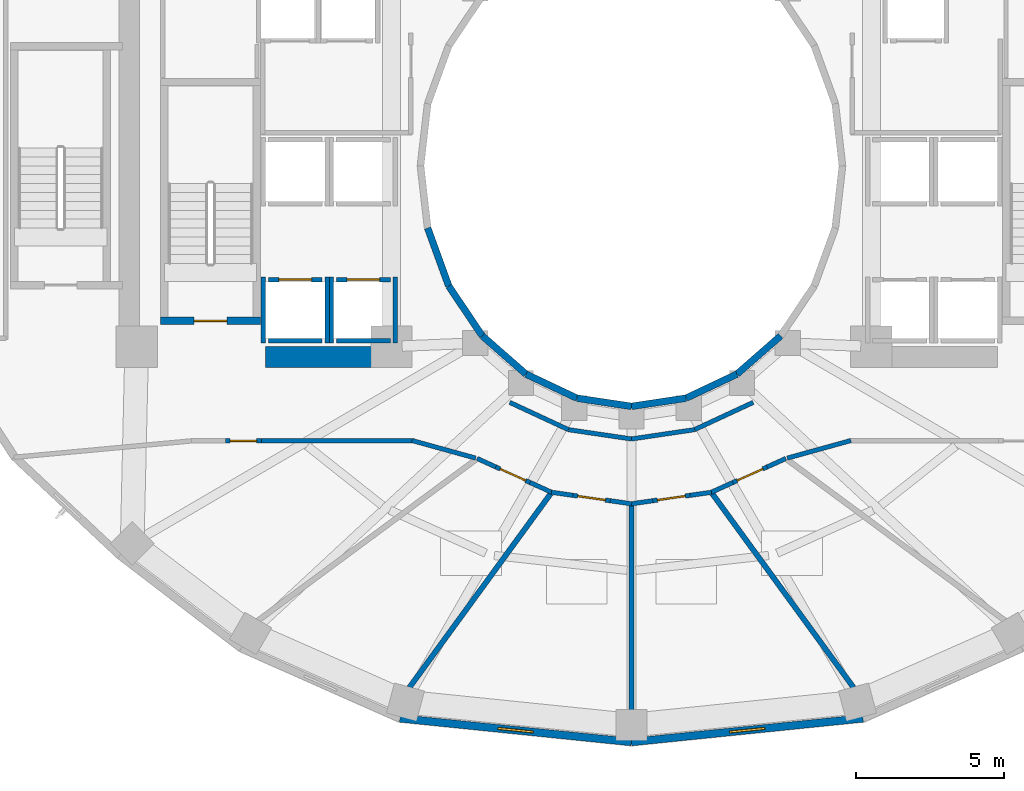
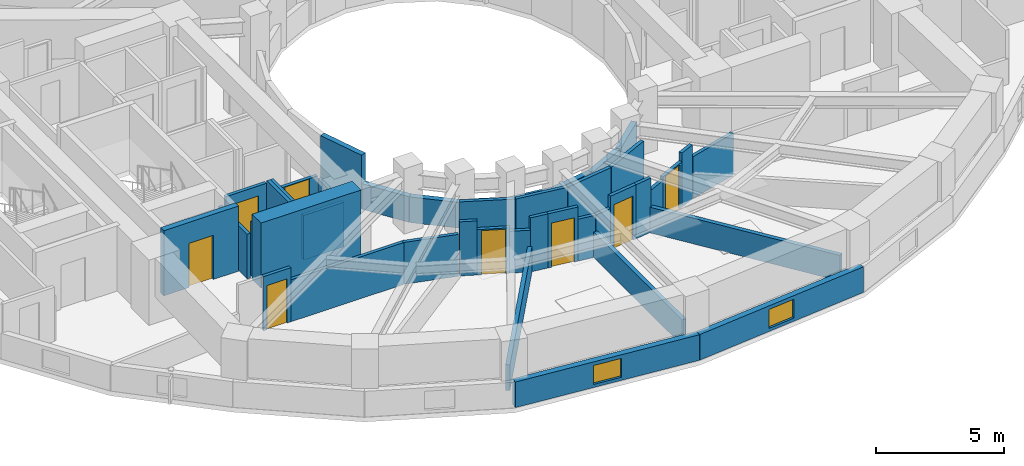
# One storey, part 3 of 10: 43 walls, 8 doors, 2 windows, 10 openings.
"""IFC4 building model written with IfcOpenShell, lengths in metres."""

import ifcopenshell
import ifcopenshell.guid

model = None  # the IFC model being written
_history = None  # IfcOwnerHistory: only IFC2X3 demands one
_inside = {}  # id of a spatial element -> (the spatial element, [elements in it])
_under = {}  # id of a project, library or spatial element -> (it, [spatial elements below it])
_declared = {}  # id of a project -> (the project, [libraries it declares])
_typed = {}  # id of a type object -> (the type object, [elements of that type])
_made_of = {}  # id of a material, layer set ... -> (it, [elements and type objects made of it])


def new_model(schema):
    """Start an empty IFC model of exactly this schema.

    Asked for "IFC4X3", IfcOpenShell would pick the latest addendum, in which some entities
    have other attributes; the version numbers below select the first issue.
    IFC2X3 requires an IfcOwnerHistory on every rooted entity: one is made here for all.
    """
    global model, _history
    if schema == "IFC4X3":
        model = ifcopenshell.file(schema_version=(4, 3, 0, 0))
    else:
        model = ifcopenshell.file(schema=schema)
    _inside.clear()
    _under.clear()
    _declared.clear()
    _typed.clear()
    _made_of.clear()
    _history = None
    if model.schema == "IFC2X3":
        org = make("IfcOrganization", Name="unknown")
        user = make(
            "IfcPersonAndOrganization",
            ThePerson=make("IfcPerson", FamilyName="unknown"),
            TheOrganization=org,
        )
        app = make(
            "IfcApplication",
            ApplicationDeveloper=org,
            Version="unknown",
            ApplicationFullName="unknown",
            ApplicationIdentifier="unknown",
        )
        _history = make(
            "IfcOwnerHistory",
            OwningUser=user,
            OwningApplication=app,
            ChangeAction="ADDED",
            CreationDate=0,
        )
    return model


def make(cls, **values):
    """One entity of the class cls with the attributes given. An attribute that is None is left unset."""
    return model.create_entity(
        cls, **{name: value for name, value in values.items() if value is not None}
    )


def rooted(cls, **values):
    """An entity with a GlobalId (a new one), such as an element, a storey or a relation."""
    return make(cls, GlobalId=ifcopenshell.guid.new(), OwnerHistory=_history, **values)


def si_unit(unit_type, name, prefix=None):
    """IfcSIUnit, for example si_unit("LENGTHUNIT", "METRE", prefix="MILLI")."""
    return make("IfcSIUnit", UnitType=unit_type, Prefix=prefix, Name=name)


def assignment(units):
    """IfcUnitAssignment: the units of a project."""
    return None if units is None else make("IfcUnitAssignment", Units=units)


def point(xyz):
    """IfcCartesianPoint."""
    return None if xyz is None else make("IfcCartesianPoint", Coordinates=xyz)


def direction(xyz):
    """IfcDirection."""
    return None if xyz is None else make("IfcDirection", DirectionRatios=xyz)


def frame(location, z_axis=None, x_axis=None):
    """IfcAxis2Placement3D, a coordinate frame: its origin and axes. An axis left out is left unset."""
    return make(
        "IfcAxis2Placement3D",
        Location=point(location),
        Axis=direction(z_axis),
        RefDirection=direction(x_axis),
    )


def frame_2d(location, x_axis=None):
    """IfcAxis2Placement2D, a coordinate frame in the plane: its origin and x axis."""
    return make(
        "IfcAxis2Placement2D", Location=point(location), RefDirection=direction(x_axis)
    )


def origin():
    """The frame at (0, 0, 0) with its axes left unset."""
    return frame((0.0, 0.0, 0.0))


def place(relative_to, where):
    """IfcLocalPlacement: puts the frame where relative to a parent placement (None: the world)."""
    return make(
        "IfcLocalPlacement", PlacementRelTo=relative_to, RelativePlacement=where
    )


def context(
    kind, dimensions, precision=None, world=None, true_north=None, identifier=None
):
    """IfcGeometricRepresentationContext, for example the 3D "Model" context."""
    return make(
        "IfcGeometricRepresentationContext",
        ContextIdentifier=identifier,
        ContextType=kind,
        CoordinateSpaceDimension=dimensions,
        Precision=precision,
        WorldCoordinateSystem=world,
        TrueNorth=true_north,
    )


def subcontext(parent, identifier, kind, view, scale=None):
    """IfcGeometricRepresentationSubContext, for example "Body" below "Model"."""
    return make(
        "IfcGeometricRepresentationSubContext",
        ContextIdentifier=identifier,
        ContextType=kind,
        ParentContext=parent,
        TargetScale=scale,
        TargetView=view,
    )


def project(units=None, contexts=None):
    """IfcProject with its units and contexts."""
    return rooted(
        "IfcProject",
        Name="project",
        RepresentationContexts=contexts,
        UnitsInContext=assignment(units),
    )


def spatial(cls, under=None, at=None, **own):
    """A site, building, storey or space (cls), placed at a placement, below another one or the project."""
    s = rooted(cls, ObjectPlacement=at, **own)
    if under is not None:
        _under.setdefault(under.id(), (under, []))[1].append(s)
    return s


def profile(cls, at=None, kind="AREA", **sizes):
    """A parametric profile (cls). Its sizes go by their IFC names, for example OverallWidth=200.0."""
    return make(cls, ProfileType=kind, Position=at, **sizes)


def rectangle(**sizes):
    """IfcRectangleProfileDef."""
    return profile("IfcRectangleProfileDef", **sizes)


def extrude(swept, where, along, depth):
    """IfcExtrudedAreaSolid: the profile swept, set in the frame where, extruded along a direction by depth."""
    return make(
        "IfcExtrudedAreaSolid",
        SweptArea=swept,
        Position=where,
        ExtrudedDirection=direction(along),
        Depth=depth,
    )


def shape(context_of_items, identifier, shape_type, items):
    """IfcShapeRepresentation: the items that make up one representation, for example the "Body"."""
    return make(
        "IfcShapeRepresentation",
        ContextOfItems=context_of_items,
        RepresentationIdentifier=identifier,
        RepresentationType=shape_type,
        Items=items,
    )


def material(Name=None, Category=None):
    """IfcMaterial."""
    return make("IfcMaterial", Name=Name, Category=Category)


def layer(
    of_material, thickness, ventilated=None, Name=None, Category=None, Priority=None
):
    """IfcMaterialLayer: one layer of a wall or slab, of a material (None: an air gap)."""
    return make(
        "IfcMaterialLayer",
        Material=of_material,
        LayerThickness=thickness,
        IsVentilated=ventilated,
        Name=Name,
        Category=Category,
        Priority=Priority,
    )


def layer_set(layers, Name=None):
    """IfcMaterialLayerSet."""
    return make("IfcMaterialLayerSet", MaterialLayers=layers, LayerSetName=Name)


def made_of(thing, what):
    """Note that an element or type object is made of a material, layer set ...; save() writes the relation."""
    if what is not None:
        _made_of.setdefault(what.id(), (what, []))[1].append(thing)
    return thing


def type_object(cls, material=None, **own):
    """A type object (cls), such as IfcWallType, which elements share."""
    return made_of(rooted(cls, **own), material)


def element(
    cls,
    number,
    at=None,
    inside=None,
    cuts=None,
    type_object=None,
    material=None,
    context=None,
    identifier="Body",
    shape_type=None,
    held_by="IfcProductDefinitionShape",
    body=None,
    shapes=None,
    **own,
):
    """One element of the class cls, such as IfcWall. Its Tag is "e" and its number.

    at: its placement. inside: the storey or other place that contains it. cuts: it is an
    opening in that element (IfcRelVoidsElement). A single representation is given by context,
    identifier, shape_type and body (its items); several are given by shapes. held_by: the class
    of the entity that holds the representations. save() writes the other relations.
    """
    e = rooted(cls, Tag="e%d" % number, ObjectPlacement=at, **own)
    if body is not None:
        shapes = [shape(context, identifier, shape_type, body)]
    if shapes is not None:
        e.Representation = make(held_by, Representations=shapes)
    if inside is not None:
        _inside.setdefault(inside.id(), (inside, []))[1].append(e)
    if cuts is not None:
        rooted(
            "IfcRelVoidsElement", RelatingBuildingElement=cuts, RelatedOpeningElement=e
        )
    if type_object is not None:
        _typed.setdefault(type_object.id(), (type_object, []))[1].append(e)
    return made_of(e, material)


def fill(opening, filler):
    """IfcRelFillsElement: the door or window that sits in an opening."""
    return rooted(
        "IfcRelFillsElement",
        RelatingOpeningElement=opening,
        RelatedBuildingElement=filler,
    )


def aggregate(whole, parts):
    """IfcRelAggregates: a whole, such as a stair, and the parts it consists of."""
    return rooted("IfcRelAggregates", RelatingObject=whole, RelatedObjects=parts)


def save(model, path):
    """Write the relations noted so far, then the file.

    IfcRelAggregates (storeys below a building ...), IfcRelContainedInSpatialStructure (elements
    in a storey), IfcRelDefinesByType, IfcRelAssociatesMaterial and IfcRelDeclares: one each for
    every whole, place, type object, material and project.
    """
    for whole, parts in _under.values():
        aggregate(whole, parts)
    for where, things in _inside.values():
        rooted(
            "IfcRelContainedInSpatialStructure",
            RelatedElements=things,
            RelatingStructure=where,
        )
    for kind, things in _typed.values():
        rooted("IfcRelDefinesByType", RelatedObjects=things, RelatingType=kind)
    for what, things in _made_of.values():
        rooted("IfcRelAssociatesMaterial", RelatedObjects=things, RelatingMaterial=what)
    for by, libraries in _declared.values():
        rooted("IfcRelDeclares", RelatingContext=by, RelatedDefinitions=libraries)
    model.write(path)


model = new_model("IFC4")

# Units and contexts
model_context = context("Model", 3, precision=1e-05, world=origin(), true_north=direction((0.0, 1.0)))
body_context = subcontext(model_context, "Body", "Model", "MODEL_VIEW")
ifc_project = project(units=[si_unit("LENGTHUNIT", "METRE"), si_unit("AREAUNIT", "SQUARE_METRE"), si_unit("VOLUMEUNIT", "CUBIC_METRE"), si_unit("PLANEANGLEUNIT", "RADIAN"), si_unit("MASSUNIT", "GRAM", prefix="KILO")], contexts=[model_context])

# Site, building, storey
site_placement = place(None, origin())
site = spatial("IfcSite", under=ifc_project, at=site_placement, CompositionType="ELEMENT")
building_placement = place(site_placement, origin())
building = spatial("IfcBuilding", under=site, at=building_placement, Name="Solvane Sanctuary Tower", CompositionType="ELEMENT")
storey_placement = place(building_placement, frame((0.0, 0.0, 101.10009765625)))
storey = spatial("IfcBuildingStorey", under=building, at=storey_placement, Name="L30", CompositionType="ELEMENT", Elevation=101.10009765625)

# Walls
ifc_material_1 = material(Name="Concrete C60/75", Category="concrete")
ifc_layer_1 = layer(ifc_material_1, 0.699951171875, Name="Concrete C60/75")
ifc_layer_set_1 = layer_set([ifc_layer_1], Name="Concrete C60/75")
wall_type_1 = type_object("IfcWallType", Name="Wall W-CORE-700", PredefinedType="SHEAR", material=ifc_layer_set_1)
wall_1_placement = place(storey_placement, frame((19.64990234375, 16.550048828125, 0.0), z_axis=(0.0, 0.0, 1.0), x_axis=(1.0, 0.0, 0.0)))
element("IfcWall", 1, at=wall_1_placement, inside=storey, type_object=wall_type_1, Name="L30 Core Shear Wall WC-S", PredefinedType="SHEAR", context=body_context, shape_type="SweptSolid", body=[
    extrude(rectangle(XDim=4.5, YDim=0.699951171875, at=frame_2d((2.25, 0.0))), origin(), (0.0, 0.0, 1.0), 3.099853515625),
])
ifc_material_2 = material(Name="Acoustic Gypsum Partition Board")
ifc_layer_2 = layer(ifc_material_2, 0.14990234375, Name="Acoustic Gypsum Partition Board")
ifc_layer_set_2 = layer_set([ifc_layer_2], Name="Acoustic Gypsum Partition Board")
wall_type_2 = type_object("IfcWallType", Name="Wall W-CORR-150", PredefinedType="PARTITIONING", material=ifc_layer_set_2)
wall_2_placement = place(storey_placement, frame((27.889892578125, 15.01513671875, 0.0), z_axis=(0.0, 0.0, 1.0), x_axis=(0.906943449489, -0.421252393975, 0.0)))
element("IfcWall", 2, at=wall_2_placement, inside=storey, type_object=wall_type_2, Name="L30 Light-Well Corridor Rim Wall S1", PredefinedType="PARTITIONING", context=body_context, shape_type="SweptSolid", body=[
    extrude(rectangle(XDim=2.18603515625, YDim=0.14990234375, at=frame_2d((1.093017578125, 0.0))), origin(), (0.0, 0.0, 1.0), 1.991943359375),
])
for number, where, z_axis, x_axis, name in (
    (3, (29.87255859375, 14.09423828125, 0.0), (0.0, 0.0, 1.0), (0.989268584896, -0.146108408166, 0.0), "L30 Light-Well Corridor Rim Wall S2"),
    (4, (32.0, 13.780029296875, 0.0), (0.0, 0.0, 1.0), (0.989268584896, 0.146108408166, 0.0), "L30 Light-Well Corridor Rim Wall S3"),
):
    element("IfcWall", number, at=place(storey_placement, frame(where, z_axis=z_axis, x_axis=x_axis)), inside=storey, type_object=wall_type_2, Name=name, PredefinedType="PARTITIONING", context=body_context, shape_type="SweptSolid", body=[
        extrude(rectangle(XDim=2.150634765625, YDim=0.14990234375, at=frame_2d((1.0751953125, 0.0))), origin(), (0.0, 0.0, 1.0), 1.991943359375),
    ])
wall_3_placement = place(storey_placement, frame((34.12744140625, 14.09423828125, 0.0), z_axis=(0.0, 0.0, 1.0), x_axis=(0.906943449489, 0.421252393975, 0.0)))
element("IfcWall", 5, at=wall_3_placement, inside=storey, type_object=wall_type_2, Name="L30 Light-Well Corridor Rim Wall S4", PredefinedType="PARTITIONING", context=body_context, shape_type="SweptSolid", body=[
    extrude(rectangle(XDim=2.18603515625, YDim=0.14990234375, at=frame_2d((1.093017578125, 0.0))), origin(), (0.0, 0.0, 1.0), 1.991943359375),
])
wall_4_placement = place(storey_placement, frame((26.741943359375, 13.13330078125, 0.0), z_axis=(0.0, 0.0, 1.0), x_axis=(-0.963833843713, 0.266503886865, 0.0)))
element("IfcWall", 6, at=wall_4_placement, inside=storey, type_object=wall_type_2, Name="L30 SW Corner Throat Wall", PredefinedType="PARTITIONING", context=body_context, shape_type="SweptSolid", body=[
    extrude(rectangle(XDim=2.231689453125, YDim=0.14990234375, at=frame_2d((1.11572265625, 0.0))), origin(), (0.0, 0.0, 1.0), 1.991943359375),
])

# Wall, opening, door
wall_5_placement = place(storey_placement, frame((18.2900390625, 13.719970703125, 0.0), z_axis=(0.0, 0.0, 1.0), x_axis=(1.0, 0.0, 0.0)))
wall_5 = element("IfcWall", 7, at=wall_5_placement, inside=storey, type_object=wall_type_2, Name="L30 SW Corner Corridor Wall", PredefinedType="PARTITIONING", context=body_context, shape_type="SweptSolid", body=[
    extrude(rectangle(XDim=1.219970703125, YDim=0.14990234375, at=frame_2d((0.60986328125, 0.0))), origin(), (0.0, 0.0, 1.0), 2.574951171875),
])
opening_1_placement = place(wall_5_placement, frame((0.159912109375, 0.0, 0.0)))
opening_1 = element("IfcOpeningElement", 8, at=opening_1_placement, cuts=wall_5, Name="Opening D-L30-14", PredefinedType="OPENING", context=body_context, shape_type="SweptSolid", body=[
    extrude(rectangle(XDim=0.89990234375, YDim=2.10009765625, at=frame_2d((0.449951171875, 1.050048828125))), frame((0.0, 0.0849609375, 0.0), z_axis=(0.0, -1.0, 0.0), x_axis=(1.0, 0.0, 0.0)), (0.0, 0.0, 1.0), 0.169921875),
])
ifc_material_3 = material(Name="Engineered Tropical Hardwood", Category="wood")
door_type_1 = type_object("IfcDoorType", Name="Door D-WET-900", OperationType="NOTDEFINED", PredefinedType="DOOR", material=ifc_material_3)
door_1_placement = place(opening_1_placement, origin())
door_1 = element("IfcDoor", 9, at=door_1_placement, inside=storey, type_object=door_type_1, Name="L30 SW Corner Salon Door", OperationType="SINGLE_SWING_LEFT", OverallHeight=2.10009765625, OverallWidth=0.89990234375, PredefinedType="DOOR", context=body_context, shape_type="SweptSolid", body=[
    extrude(rectangle(XDim=0.89990234375, YDim=2.10009765625, at=frame_2d((0.449951171875, 1.050048828125))), frame((0.0, 0.02490234375, 0.0), z_axis=(0.0, -1.0, 0.0), x_axis=(1.0, 0.0, 0.0)), (0.0, 0.0, 1.0), 0.050048828125),
])
fill(opening_1, door_1)

# Walls
wall_6_placement = place(storey_placement, frame((19.510009765625, 13.719970703125, 0.0), z_axis=(0.0, 0.0, 1.0), x_axis=(1.0, 0.0, 0.0)))
element("IfcWall", 10, at=wall_6_placement, inside=storey, type_object=wall_type_2, Name="L30 SW Corner Corridor Wall", PredefinedType="PARTITIONING", context=body_context, shape_type="SweptSolid", body=[
    extrude(rectangle(XDim=5.159912109375, YDim=0.14990234375, at=frame_2d((2.580078125, 0.0))), origin(), (0.0, 0.0, 1.0), 1.991943359375),
])
wall_7_placement = place(storey_placement, frame((37.258056640625, 13.13330078125, 0.0), z_axis=(0.0, 0.0, 1.0), x_axis=(0.963833843713, 0.266503886865, 0.0)))
element("IfcWall", 11, at=wall_7_placement, inside=storey, type_object=wall_type_2, Name="L30 SE Corner Throat Wall", PredefinedType="PARTITIONING", context=body_context, shape_type="SweptSolid", body=[
    extrude(rectangle(XDim=2.231689453125, YDim=0.14990234375, at=frame_2d((1.11572265625, 0.0))), origin(), (0.0, 0.0, 1.0), 1.991943359375),
])
wall_8_placement = place(storey_placement, frame((26.788818359375, 13.12255859375, 0.0), z_axis=(0.0, 0.0, 1.0), x_axis=(0.910534957096, -0.413432088627, 0.0)))
element("IfcWall", 12, at=wall_8_placement, inside=storey, type_object=wall_type_2, Name="L30 Unit Corridor Wall S1", PredefinedType="PARTITIONING", context=body_context, shape_type="SweptSolid", body=[
    extrude(rectangle(XDim=0.6943359375, YDim=0.14990234375, at=frame_2d((0.34716796875, 0.0))), origin(), (0.0, 0.0, 1.0), 2.574951171875),
])

# Wall, opening, door
wall_9_placement = place(storey_placement, frame((27.421142578125, 12.83544921875, 0.0), z_axis=(0.0, 0.0, 1.0), x_axis=(0.910563905594, -0.413368327075, 0.0)))
wall_9 = element("IfcWall", 13, at=wall_9_placement, inside=storey, type_object=wall_type_2, Name="L30 Unit Corridor Wall S1", PredefinedType="PARTITIONING", context=body_context, shape_type="SweptSolid", body=[
    extrude(rectangle(XDim=1.269775390625, YDim=0.14990234375, at=frame_2d((0.634765625, 0.0))), origin(), (0.0, 0.0, 1.0), 2.159912109375),
])
opening_2_placement = place(wall_9_placement, frame((0.159912109375, 0.0, 0.0)))
opening_2 = element("IfcOpeningElement", 14, at=opening_2_placement, cuts=wall_9, Name="Opening D-L30-20", PredefinedType="OPENING", context=body_context, shape_type="SweptSolid", body=[
    extrude(rectangle(XDim=0.949951171875, YDim=2.10009765625, at=frame_2d((0.47509765625, 1.050048828125))), frame((0.0, 0.0849609375, 0.0), z_axis=(0.0, -1.0, 0.0), x_axis=(1.0, 0.0, 0.0)), (0.0, 0.0, 1.0), 0.169921875),
])
door_type_2 = type_object("IfcDoorType", Name="Door D-ROOM-950", OperationType="NOTDEFINED", PredefinedType="DOOR", material=ifc_material_3)
door_2_placement = place(opening_2_placement, origin())
door_2 = element("IfcDoor", 15, at=door_2_placement, inside=storey, type_object=door_type_2, Name="L30 Unit Entrance Door S1", OperationType="SINGLE_SWING_LEFT", OverallHeight=2.10009765625, OverallWidth=0.949951171875, PredefinedType="DOOR", context=body_context, shape_type="SweptSolid", body=[
    extrude(rectangle(XDim=0.949951171875, YDim=2.10009765625, at=frame_2d((0.47509765625, 1.050048828125))), frame((0.0, 0.02490234375, 0.0), z_axis=(0.0, -1.0, 0.0), x_axis=(1.0, 0.0, 0.0)), (0.0, 0.0, 1.0), 0.050048828125),
])
fill(opening_2, door_2)

# Walls
wall_10_placement = place(storey_placement, frame((28.577392578125, 12.310546875, 0.0), z_axis=(0.0, 0.0, 1.0), x_axis=(0.910604459832, -0.413278982932, 0.0)))
element("IfcWall", 16, at=wall_10_placement, inside=storey, type_object=wall_type_2, Name="L30 Unit Corridor Wall S1", PredefinedType="PARTITIONING", context=body_context, shape_type="SweptSolid", body=[
    extrude(rectangle(XDim=0.8076171875, YDim=0.14990234375, at=frame_2d((0.40380859375, 0.0))), origin(), (0.0, 0.0, 1.0), 1.991943359375),
])
wall_11_placement = place(storey_placement, frame((29.298583984375, 11.98095703125, 0.0), z_axis=(0.0, 0.0, 1.0), x_axis=(0.98974875873, -0.142819447526, 0.0)))
element("IfcWall", 17, at=wall_11_placement, inside=storey, type_object=wall_type_2, Name="L30 Unit Corridor Wall S2", PredefinedType="PARTITIONING", context=body_context, shape_type="SweptSolid", body=[
    extrude(rectangle(XDim=0.7333984375, YDim=0.14990234375, at=frame_2d((0.36669921875, 0.0))), origin(), (0.0, 0.0, 1.0), 2.574951171875),
])

# Wall, opening, door
wall_12_placement = place(storey_placement, frame((30.0244140625, 11.876220703125, 0.0), z_axis=(0.0, 0.0, 1.0), x_axis=(0.98974859422, -0.142820587591, 0.0)))
wall_12 = element("IfcWall", 18, at=wall_12_placement, inside=storey, type_object=wall_type_2, Name="L30 Unit Corridor Wall S2", PredefinedType="PARTITIONING", context=body_context, shape_type="SweptSolid", body=[
    extrude(rectangle(XDim=1.27001953125, YDim=0.14990234375, at=frame_2d((0.635009765625, 0.0))), origin(), (0.0, 0.0, 1.0), 2.574951171875),
])
opening_3_placement = place(wall_12_placement, frame((0.159912109375, 0.0, 0.0)))
opening_3 = element("IfcOpeningElement", 19, at=opening_3_placement, cuts=wall_12, Name="Opening D-L30-21", PredefinedType="OPENING", context=body_context, shape_type="SweptSolid", body=[
    extrude(rectangle(XDim=0.949951171875, YDim=2.10009765625, at=frame_2d((0.47509765625, 1.050048828125))), frame((0.0, 0.0849609375, 0.0), z_axis=(0.0, -1.0, 0.0), x_axis=(1.0, 0.0, 0.0)), (0.0, 0.0, 1.0), 0.169921875),
])
door_3_placement = place(opening_3_placement, origin())
door_3 = element("IfcDoor", 20, at=door_3_placement, inside=storey, type_object=door_type_2, Name="L30 Unit Entrance Door S2", OperationType="SINGLE_SWING_RIGHT", OverallHeight=2.10009765625, OverallWidth=0.949951171875, PredefinedType="DOOR", context=body_context, shape_type="SweptSolid", body=[
    extrude(rectangle(XDim=0.949951171875, YDim=2.10009765625, at=frame_2d((0.47509765625, 1.050048828125))), frame((0.0, 0.02490234375, 0.0), z_axis=(0.0, -1.0, 0.0), x_axis=(1.0, 0.0, 0.0)), (0.0, 0.0, 1.0), 0.050048828125),
])
fill(opening_3, door_3)

# Walls
for number, where, z_axis, x_axis, name in (
    (21, (31.281494140625, 11.69482421875, 0.0), (0.0, 0.0, 1.0), (0.98974875873, -0.142819447526, 0.0), "L30 Unit Corridor Wall S2"),
    (22, (31.99267578125, 11.590087890625, 0.0), (0.0, 0.0, 1.0), (0.989795766197, 0.142493302365, 0.0), "L30 Unit Corridor Wall S3"),
):
    element("IfcWall", number, at=place(storey_placement, frame(where, z_axis=z_axis, x_axis=x_axis)), inside=storey, type_object=wall_type_2, Name=name, PredefinedType="PARTITIONING", context=body_context, shape_type="SweptSolid", body=[
        extrude(rectangle(XDim=0.7333984375, YDim=0.14990234375, at=frame_2d((0.36669921875, 0.0))), origin(), (0.0, 0.0, 1.0), 1.991943359375),
    ])

# Wall, opening, door
wall_13_placement = place(storey_placement, frame((32.718505859375, 11.694580078125, 0.0), z_axis=(0.0, 0.0, 1.0), x_axis=(0.989721405299, 0.14300888047, 0.0)))
wall_13 = element("IfcWall", 23, at=wall_13_placement, inside=storey, type_object=wall_type_2, Name="L30 Unit Corridor Wall S3", PredefinedType="PARTITIONING", context=body_context, shape_type="SweptSolid", body=[
    extrude(rectangle(XDim=1.27001953125, YDim=0.14990234375, at=frame_2d((0.635009765625, 0.0))), origin(), (0.0, 0.0, 1.0), 2.574951171875),
])
opening_4_placement = place(wall_13_placement, frame((0.159912109375, 0.0, 0.0)))
opening_4 = element("IfcOpeningElement", 24, at=opening_4_placement, cuts=wall_13, Name="Opening D-L30-22", PredefinedType="OPENING", context=body_context, shape_type="SweptSolid", body=[
    extrude(rectangle(XDim=0.949951171875, YDim=2.10009765625, at=frame_2d((0.47509765625, 1.050048828125))), frame((0.0, 0.0849609375, 0.0), z_axis=(0.0, -1.0, 0.0), x_axis=(1.0, 0.0, 0.0)), (0.0, 0.0, 1.0), 0.169921875),
])
door_4_placement = place(opening_4_placement, origin())
door_4 = element("IfcDoor", 25, at=door_4_placement, inside=storey, type_object=door_type_2, Name="L30 Unit Entrance Door S3", OperationType="SINGLE_SWING_LEFT", OverallHeight=2.10009765625, OverallWidth=0.949951171875, PredefinedType="DOOR", context=body_context, shape_type="SweptSolid", body=[
    extrude(rectangle(XDim=0.949951171875, YDim=2.10009765625, at=frame_2d((0.47509765625, 1.050048828125))), frame((0.0, 0.02490234375, 0.0), z_axis=(0.0, -1.0, 0.0), x_axis=(1.0, 0.0, 0.0)), (0.0, 0.0, 1.0), 0.050048828125),
])
fill(opening_4, door_4)

# Walls
wall_14_placement = place(storey_placement, frame((33.9755859375, 11.876220703125, 0.0), z_axis=(0.0, 0.0, 1.0), x_axis=(0.98974875873, 0.142819447526, 0.0)))
element("IfcWall", 26, at=wall_14_placement, inside=storey, type_object=wall_type_2, Name="L30 Unit Corridor Wall S3", PredefinedType="PARTITIONING", context=body_context, shape_type="SweptSolid", body=[
    extrude(rectangle(XDim=0.7333984375, YDim=0.14990234375, at=frame_2d((0.36669921875, 0.0))), origin(), (0.0, 0.0, 1.0), 2.574951171875),
])
wall_15_placement = place(storey_placement, frame((34.687255859375, 11.976806640625, 0.0), z_axis=(0.0, 0.0, 1.0), x_axis=(0.910604459832, 0.413278982932, 0.0)))
element("IfcWall", 27, at=wall_15_placement, inside=storey, type_object=wall_type_2, Name="L30 Unit Corridor Wall S4", PredefinedType="PARTITIONING", context=body_context, shape_type="SweptSolid", body=[
    extrude(rectangle(XDim=0.8076171875, YDim=0.14990234375, at=frame_2d((0.40380859375, 0.0))), origin(), (0.0, 0.0, 1.0), 1.991943359375),
])

# Wall, opening, door
wall_16_placement = place(storey_placement, frame((35.422607421875, 12.310546875, 0.0), z_axis=(0.0, 0.0, 1.0), x_axis=(0.910563905594, 0.413368327075, 0.0)))
wall_16 = element("IfcWall", 28, at=wall_16_placement, inside=storey, type_object=wall_type_2, Name="L30 Unit Corridor Wall S4", PredefinedType="PARTITIONING", context=body_context, shape_type="SweptSolid", body=[
    extrude(rectangle(XDim=1.269775390625, YDim=0.14990234375, at=frame_2d((0.634765625, 0.0))), origin(), (0.0, 0.0, 1.0), 2.159912109375),
])
opening_5_placement = place(wall_16_placement, frame((0.159912109375, 0.0, 0.0)))
opening_5 = element("IfcOpeningElement", 29, at=opening_5_placement, cuts=wall_16, Name="Opening D-L30-23", PredefinedType="OPENING", context=body_context, shape_type="SweptSolid", body=[
    extrude(rectangle(XDim=0.949951171875, YDim=2.10009765625, at=frame_2d((0.47509765625, 1.050048828125))), frame((0.0, 0.0849609375, 0.0), z_axis=(0.0, -1.0, 0.0), x_axis=(1.0, 0.0, 0.0)), (0.0, 0.0, 1.0), 0.169921875),
])
door_5_placement = place(opening_5_placement, origin())
door_5 = element("IfcDoor", 30, at=door_5_placement, inside=storey, type_object=door_type_2, Name="L30 Unit Entrance Door S4", OperationType="SINGLE_SWING_RIGHT", OverallHeight=2.10009765625, OverallWidth=0.949951171875, PredefinedType="DOOR", context=body_context, shape_type="SweptSolid", body=[
    extrude(rectangle(XDim=0.949951171875, YDim=2.10009765625, at=frame_2d((0.47509765625, 1.050048828125))), frame((0.0, 0.02490234375, 0.0), z_axis=(0.0, -1.0, 0.0), x_axis=(1.0, 0.0, 0.0)), (0.0, 0.0, 1.0), 0.050048828125),
])
fill(opening_5, door_5)

# Wall
wall_17_placement = place(storey_placement, frame((36.578857421875, 12.83544921875, 0.0), z_axis=(0.0, 0.0, 1.0), x_axis=(0.910534957096, 0.413432088627, 0.0)))
element("IfcWall", 31, at=wall_17_placement, inside=storey, type_object=wall_type_2, Name="L30 Unit Corridor Wall S4", PredefinedType="PARTITIONING", context=body_context, shape_type="SweptSolid", body=[
    extrude(rectangle(XDim=0.6943359375, YDim=0.14990234375, at=frame_2d((0.34716796875, 0.0))), origin(), (0.0, 0.0, 1.0), 2.574951171875),
])

# Wall, opening, window
ifc_material_4 = material(Name="Precast concrete C40/50", Category="concrete")
ifc_layer_3 = layer(ifc_material_4, 0.260009765625, Name="Precast concrete C40/50")
ifc_layer_set_3 = layer_set([ifc_layer_3], Name="Precast concrete C40/50")
wall_type_3 = type_object("IfcWallType", Name="Wall W-EXT-250", PredefinedType="STANDARD", material=ifc_layer_set_3)
wall_18_placement = place(storey_placement, frame((24.18359375, 4.349365234375, 0.0), z_axis=(0.0, 0.0, 1.0), x_axis=(0.994821390558, -0.101638579726, 0.0)))
wall_18 = element("IfcWall", 32, at=wall_18_placement, inside=storey, type_object=wall_type_3, Name="L30 Ceramic-Printed Facade Wall 17", PredefinedType="STANDARD", context=body_context, shape_type="SweptSolid", body=[
    extrude(rectangle(XDim=7.857177734375, YDim=0.260009765625, at=frame_2d((3.9287109375, 0.0))), origin(), (0.0, 0.0, 1.0), 1.219970703125),
])
opening_6_placement = place(wall_18_placement, frame((3.32861328125, 0.0, 0.14990234375)))
opening_6 = element("IfcOpeningElement", 33, at=opening_6_placement, cuts=wall_18, Name="Opening WN-OPER-1200", PredefinedType="OPENING", context=body_context, shape_type="SweptSolid", body=[
    extrude(rectangle(XDim=1.199951171875, YDim=0.89990234375, at=frame_2d((0.60009765625, 0.449951171875))), frame((0.0, 0.139892578125, 0.0), z_axis=(0.0, -1.0, 0.0), x_axis=(1.0, 0.0, 0.0)), (0.0, 0.0, 1.0), 0.280029296875),
])
ifc_material_5 = material(Name="Dark Ceramic-Fritted Low-E Glass", Category="glass")
window_type = type_object("IfcWindowType", Name="Window WN-OPER-1200", PartitioningType="SINGLE_PANEL", PredefinedType="WINDOW", material=ifc_material_5)
window_1_placement = place(opening_6_placement, origin())
window_1 = element("IfcWindow", 34, at=window_1_placement, inside=storey, type_object=window_type, Name="L30 Operable Facade Window 17", OverallHeight=0.89990234375, OverallWidth=1.199951171875, PartitioningType="SINGLE_PANEL", PredefinedType="WINDOW", context=body_context, shape_type="SweptSolid", body=[
    extrude(rectangle(XDim=1.199951171875, YDim=0.89990234375, at=frame_2d((0.60009765625, 0.449951171875))), frame((0.0, 0.030029296875, 0.0), z_axis=(0.0, -1.0, 0.0), x_axis=(1.0, 0.0, 0.0)), (0.0, 0.0, 1.0), 0.06005859375),
])
fill(opening_6, window_1)

wall_19_placement = place(storey_placement, frame((32.0, 3.55078125, 0.0), z_axis=(0.0, 0.0, 1.0), x_axis=(0.994821390558, 0.101638579726, 0.0)))
wall_19 = element("IfcWall", 35, at=wall_19_placement, inside=storey, type_object=wall_type_3, Name="L30 Ceramic-Printed Facade Wall 18", PredefinedType="STANDARD", context=body_context, shape_type="SweptSolid", body=[
    extrude(rectangle(XDim=7.857177734375, YDim=0.260009765625, at=frame_2d((3.9287109375, 0.0))), origin(), (0.0, 0.0, 1.0), 1.219970703125),
])
opening_7_placement = place(wall_19_placement, frame((3.32861328125, 0.0, 0.14990234375)))
opening_7 = element("IfcOpeningElement", 36, at=opening_7_placement, cuts=wall_19, Name="Opening WN-OPER-1200", PredefinedType="OPENING", context=body_context, shape_type="SweptSolid", body=[
    extrude(rectangle(XDim=1.199951171875, YDim=0.89990234375, at=frame_2d((0.60009765625, 0.449951171875))), frame((0.0, 0.139892578125, 0.0), z_axis=(0.0, -1.0, 0.0), x_axis=(1.0, 0.0, 0.0)), (0.0, 0.0, 1.0), 0.280029296875),
])
window_2_placement = place(opening_7_placement, origin())
window_2 = element("IfcWindow", 37, at=window_2_placement, inside=storey, type_object=window_type, Name="L30 Operable Facade Window 18", OverallHeight=0.89990234375, OverallWidth=1.199951171875, PartitioningType="SINGLE_PANEL", PredefinedType="WINDOW", context=body_context, shape_type="SweptSolid", body=[
    extrude(rectangle(XDim=1.199951171875, YDim=0.89990234375, at=frame_2d((0.60009765625, 0.449951171875))), frame((0.0, 0.030029296875, 0.0), z_axis=(0.0, -1.0, 0.0), x_axis=(1.0, 0.0, 0.0)), (0.0, 0.0, 1.0), 0.06005859375),
])
fill(opening_7, window_2)

# Walls
ifc_layer_4 = layer(ifc_material_4, 0.22998046875, Name="Precast concrete C40/50")
ifc_layer_set_4 = layer_set([ifc_layer_4], Name="Precast concrete C40/50")
wall_type_4 = type_object("IfcWallType", Name="Wall W-EXT-SP220", PredefinedType="STANDARD", material=ifc_layer_set_4)
wall_20_placement = place(storey_placement, frame((25.12255859375, 20.8984375, 0.0), z_axis=(0.0, 0.0, 1.0), x_axis=(0.341423187295, -0.93990968033, 0.0)))
element("IfcWall", 38, at=wall_20_placement, inside=storey, type_object=wall_type_4, Name="L30 Central Light-Well Wall 13", PredefinedType="STANDARD", context=body_context, shape_type="SweptSolid", body=[
    extrude(rectangle(XDim=2.083740234375, YDim=0.22998046875, at=frame_2d((1.0419921875, 0.0))), origin(), (0.0, 0.0, 1.0), 2.559814453125),
])
wall_21_placement = place(storey_placement, frame((25.833984375, 18.93994140625, 0.0), z_axis=(0.0, 0.0, 1.0), x_axis=(0.558197800898, -0.829707909492, 0.0)))
element("IfcWall", 39, at=wall_21_placement, inside=storey, type_object=wall_type_4, Name="L30 Central Light-Well Wall 14", PredefinedType="STANDARD", context=body_context, shape_type="SweptSolid", body=[
    extrude(rectangle(XDim=2.02685546875, YDim=0.22998046875, at=frame_2d((1.013427734375, 0.0))), origin(), (0.0, 0.0, 1.0), 1.219970703125),
])
wall_22_placement = place(storey_placement, frame((26.96533203125, 17.25830078125, 0.0), z_axis=(0.0, 0.0, 1.0), x_axis=(0.752576694707, -0.658504607869, 0.0)))
element("IfcWall", 40, at=wall_22_placement, inside=storey, type_object=wall_type_4, Name="L30 Central Light-Well Wall 15", PredefinedType="STANDARD", context=body_context, shape_type="SweptSolid", body=[
    extrude(rectangle(XDim=1.95947265625, YDim=0.22998046875, at=frame_2d((0.979736328125, 0.0))), origin(), (0.0, 0.0, 1.0), 1.219970703125),
])
wall_23_placement = place(storey_placement, frame((28.43994140625, 15.968017578125, 0.0), z_axis=(0.0, 0.0, 1.0), x_axis=(0.904179699603, -0.427152280606, 0.0)))
element("IfcWall", 41, at=wall_23_placement, inside=storey, type_object=wall_type_4, Name="L30 Central Light-Well Wall 16", PredefinedType="STANDARD", context=body_context, shape_type="SweptSolid", body=[
    extrude(rectangle(XDim=1.899169921875, YDim=0.22998046875, at=frame_2d((0.94970703125, 0.0))), origin(), (0.0, 0.0, 1.0), 1.219970703125),
])
for number, where, z_axis, x_axis, name in (
    (42, (30.1572265625, 15.15673828125, 0.0), (0.0, 0.0, 1.0), (0.988901730308, -0.148571086668, 0.0), "L30 Central Light-Well Wall 17"),
    (43, (32.0, 14.8798828125, 0.0), (0.0, 0.0, 1.0), (0.988901730308, 0.148571086668, 0.0), "L30 Central Light-Well Wall 18"),
):
    element("IfcWall", number, at=place(storey_placement, frame(where, z_axis=z_axis, x_axis=x_axis)), inside=storey, type_object=wall_type_4, Name=name, PredefinedType="STANDARD", context=body_context, shape_type="SweptSolid", body=[
        extrude(rectangle(XDim=1.863525390625, YDim=0.22998046875, at=frame_2d((0.931640625, 0.0))), origin(), (0.0, 0.0, 1.0), 1.219970703125),
    ])
wall_24_placement = place(storey_placement, frame((33.8427734375, 15.15673828125, 0.0), z_axis=(0.0, 0.0, 1.0), x_axis=(0.904179699603, 0.427152280606, 0.0)))
element("IfcWall", 44, at=wall_24_placement, inside=storey, type_object=wall_type_4, Name="L30 Central Light-Well Wall 19", PredefinedType="STANDARD", context=body_context, shape_type="SweptSolid", body=[
    extrude(rectangle(XDim=1.899169921875, YDim=0.22998046875, at=frame_2d((0.94970703125, 0.0))), origin(), (0.0, 0.0, 1.0), 1.219970703125),
])
wall_25_placement = place(storey_placement, frame((35.56005859375, 15.968017578125, 0.0), z_axis=(0.0, 0.0, 1.0), x_axis=(0.752576694707, 0.658504607869, 0.0)))
element("IfcWall", 45, at=wall_25_placement, inside=storey, type_object=wall_type_4, Name="L30 Central Light-Well Wall 20", PredefinedType="STANDARD", context=body_context, shape_type="SweptSolid", body=[
    extrude(rectangle(XDim=1.95947265625, YDim=0.22998046875, at=frame_2d((0.979736328125, 0.0))), origin(), (0.0, 0.0, 1.0), 1.219970703125),
])

# Wall, opening, door
ifc_material_6 = material(Name="Concrete C50/60", Category="concrete")
ifc_layer_5 = layer(ifc_material_6, 0.14990234375, Name="Concrete C50/60")
ifc_layer_set_5 = layer_set([ifc_layer_5], Name="Concrete C50/60")
wall_type_5 = type_object("IfcWallType", Name="Wall W-SHAFT-150", PredefinedType="SOLIDWALL", material=ifc_layer_set_5)
wall_26_placement = place(storey_placement, frame((19.739990234375, 19.159912109375, 0.0), z_axis=(0.0, 0.0, 1.0), x_axis=(1.0, 0.0, 0.0)))
wall_26 = element("IfcWall", 46, at=wall_26_placement, inside=storey, type_object=wall_type_5, Name="L30 PL-1 Lift Shaft Wall F", PredefinedType="SOLIDWALL", context=body_context, shape_type="SweptSolid", body=[
    extrude(rectangle(XDim=1.820068359375, YDim=0.14990234375, at=frame_2d((0.91015625, 0.0))), origin(), (0.0, 0.0, 1.0), 2.574951171875),
])
opening_8_placement = place(wall_26_placement, frame((0.360107421875, 0.0, 0.0)))
opening_8 = element("IfcOpeningElement", 47, at=opening_8_placement, cuts=wall_26, Name="Opening LD-L30-01", PredefinedType="OPENING", context=body_context, shape_type="SweptSolid", body=[
    extrude(rectangle(XDim=1.10009765625, YDim=2.10009765625, at=frame_2d((0.550048828125, 1.050048828125))), frame((0.0, 0.0849609375, 0.0), z_axis=(0.0, -1.0, 0.0), x_axis=(1.0, 0.0, 0.0)), (0.0, 0.0, 1.0), 0.169921875),
])
ifc_material_7 = material(Name="Architectural Stainless Steel 316", Category="steel")
door_type_3 = type_object("IfcDoorType", Name="Door LD-PASS-1100", OperationType="NOTDEFINED", PredefinedType="DOOR", material=ifc_material_7)
door_6_placement = place(opening_8_placement, origin())
door_6 = element("IfcDoor", 48, at=door_6_placement, inside=storey, type_object=door_type_3, Name="L30 PL-1 Lift Landing Door", OperationType="DOUBLE_DOOR_SLIDING", OverallHeight=2.10009765625, OverallWidth=1.10009765625, PredefinedType="DOOR", context=body_context, shape_type="SweptSolid", body=[
    extrude(rectangle(XDim=1.10009765625, YDim=2.10009765625, at=frame_2d((0.550048828125, 1.050048828125))), frame((0.0, 0.02490234375, 0.0), z_axis=(0.0, -1.0, 0.0), x_axis=(1.0, 0.0, 0.0)), (0.0, 0.0, 1.0), 0.050048828125),
])
fill(opening_8, door_6)

# Walls
wall_27_placement = place(storey_placement, frame((19.739990234375, 17.10009765625, 0.0), z_axis=(0.0, 0.0, 1.0), x_axis=(1.0, 0.0, 0.0)))
element("IfcWall", 49, at=wall_27_placement, inside=storey, type_object=wall_type_5, Name="L30 PL-1 Lift Shaft Wall B", PredefinedType="SOLIDWALL", context=body_context, shape_type="SweptSolid", body=[
    extrude(rectangle(XDim=1.820068359375, YDim=0.14990234375, at=frame_2d((0.91015625, 0.0))), origin(), (0.0, 0.0, 1.0), 2.574951171875),
])
wall_28_placement = place(storey_placement, frame((19.570068359375, 17.02001953125, 0.0), z_axis=(0.0, 0.0, 1.0), x_axis=(0.0, 1.0, 0.0)))
element("IfcWall", 50, at=wall_28_placement, inside=storey, type_object=wall_type_5, Name="L30 PL-1 Lift Shaft Wall S1", PredefinedType="SOLIDWALL", context=body_context, shape_type="SweptSolid", body=[
    extrude(rectangle(XDim=2.219970703125, YDim=0.14990234375, at=frame_2d((1.10986328125, 0.0))), origin(), (0.0, 0.0, 1.0), 2.119873046875),
])
wall_29_placement = place(storey_placement, frame((21.72998046875, 17.02001953125, 0.0), z_axis=(0.0, 0.0, 1.0), x_axis=(0.0, 1.0, 0.0)))
element("IfcWall", 51, at=wall_29_placement, inside=storey, type_object=wall_type_5, Name="L30 PL-1 Lift Shaft Wall S2", PredefinedType="SOLIDWALL", context=body_context, shape_type="SweptSolid", body=[
    extrude(rectangle(XDim=2.219970703125, YDim=0.14990234375, at=frame_2d((1.10986328125, 0.0))), origin(), (0.0, 0.0, 1.0), 2.574951171875),
])

# Wall, opening, door
wall_30_placement = place(storey_placement, frame((22.0400390625, 19.159912109375, 0.0), z_axis=(0.0, 0.0, 1.0), x_axis=(1.0, 0.0, 0.0)))
wall_30 = element("IfcWall", 52, at=wall_30_placement, inside=storey, type_object=wall_type_5, Name="L30 PL-2 Lift Shaft Wall F", PredefinedType="SOLIDWALL", context=body_context, shape_type="SweptSolid", body=[
    extrude(rectangle(XDim=1.820068359375, YDim=0.14990234375, at=frame_2d((0.91015625, 0.0))), origin(), (0.0, 0.0, 1.0), 2.119873046875),
])
opening_9_placement = place(wall_30_placement, frame((0.360107421875, 0.0, 0.0)))
opening_9 = element("IfcOpeningElement", 53, at=opening_9_placement, cuts=wall_30, Name="Opening LD-L30-02", PredefinedType="OPENING", context=body_context, shape_type="SweptSolid", body=[
    extrude(rectangle(XDim=1.10009765625, YDim=2.10009765625, at=frame_2d((0.550048828125, 1.050048828125))), frame((0.0, 0.0849609375, 0.0), z_axis=(0.0, -1.0, 0.0), x_axis=(1.0, 0.0, 0.0)), (0.0, 0.0, 1.0), 0.169921875),
])
door_7_placement = place(opening_9_placement, origin())
door_7 = element("IfcDoor", 54, at=door_7_placement, inside=storey, type_object=door_type_3, Name="L30 PL-2 Lift Landing Door", OperationType="DOUBLE_DOOR_SLIDING", OverallHeight=2.10009765625, OverallWidth=1.10009765625, PredefinedType="DOOR", context=body_context, shape_type="SweptSolid", body=[
    extrude(rectangle(XDim=1.10009765625, YDim=2.10009765625, at=frame_2d((0.550048828125, 1.050048828125))), frame((0.0, 0.02490234375, 0.0), z_axis=(0.0, -1.0, 0.0), x_axis=(1.0, 0.0, 0.0)), (0.0, 0.0, 1.0), 0.050048828125),
])
fill(opening_9, door_7)

# Walls
wall_31_placement = place(storey_placement, frame((22.0400390625, 17.10009765625, 0.0), z_axis=(0.0, 0.0, 1.0), x_axis=(1.0, 0.0, 0.0)))
element("IfcWall", 55, at=wall_31_placement, inside=storey, type_object=wall_type_5, Name="L30 PL-2 Lift Shaft Wall B", PredefinedType="SOLIDWALL", context=body_context, shape_type="SweptSolid", body=[
    extrude(rectangle(XDim=1.820068359375, YDim=0.14990234375, at=frame_2d((0.91015625, 0.0))), origin(), (0.0, 0.0, 1.0), 2.119873046875),
])
wall_32_placement = place(storey_placement, frame((21.8701171875, 17.02001953125, 0.0), z_axis=(0.0, 0.0, 1.0), x_axis=(0.0, 1.0, 0.0)))
element("IfcWall", 56, at=wall_32_placement, inside=storey, type_object=wall_type_5, Name="L30 PL-2 Lift Shaft Wall S1", PredefinedType="SOLIDWALL", context=body_context, shape_type="SweptSolid", body=[
    extrude(rectangle(XDim=2.219970703125, YDim=0.14990234375, at=frame_2d((1.10986328125, 0.0))), origin(), (0.0, 0.0, 1.0), 2.574951171875),
])
wall_33_placement = place(storey_placement, frame((24.030029296875, 17.02001953125, 0.0), z_axis=(0.0, 0.0, 1.0), x_axis=(0.0, 1.0, 0.0)))
element("IfcWall", 57, at=wall_33_placement, inside=storey, type_object=wall_type_5, Name="L30 PL-2 Lift Shaft Wall S2", PredefinedType="SOLIDWALL", context=body_context, shape_type="SweptSolid", body=[
    extrude(rectangle(XDim=2.219970703125, YDim=0.14990234375, at=frame_2d((1.10986328125, 0.0))), origin(), (0.0, 0.0, 1.0), 1.872802734375),
])

# Wall, opening, door
ifc_layer_6 = layer(ifc_material_6, 0.25, Name="Concrete C50/60")
ifc_layer_set_6 = layer_set([ifc_layer_6], Name="Concrete C50/60")
wall_type_6 = type_object("IfcWallType", Name="Wall W-SHAFT-250", PredefinedType="SOLIDWALL", material=ifc_layer_set_6)
wall_34_placement = place(storey_placement, frame((16.10498046875, 17.77001953125, 0.0), z_axis=(0.0, 0.0, 1.0), x_axis=(1.0, 0.0, 0.0)))
wall_34 = element("IfcWall", 58, at=wall_34_placement, inside=storey, type_object=wall_type_6, Name="L30 ST-1 Load-Bearing Shaft Wall S", PredefinedType="SOLIDWALL", context=body_context, shape_type="SweptSolid", body=[
    extrude(rectangle(XDim=3.3701171875, YDim=0.25, at=frame_2d((1.68505859375, 0.0))), origin(), (0.0, 0.0, 1.0), 3.099853515625),
])
opening_10_placement = place(wall_34_placement, frame((1.135009765625, 0.0, 0.0)))
opening_10 = element("IfcOpeningElement", 59, at=opening_10_placement, cuts=wall_34, Name="Opening D-L30-01", PredefinedType="OPENING", context=body_context, shape_type="SweptSolid", body=[
    extrude(rectangle(XDim=1.10009765625, YDim=2.10009765625, at=frame_2d((0.550048828125, 1.050048828125))), frame((0.0, 0.135009765625, 0.0), z_axis=(0.0, -1.0, 0.0), x_axis=(1.0, 0.0, 0.0)), (0.0, 0.0, 1.0), 0.27001953125),
])
door_type_4 = type_object("IfcDoorType", Name="Door D-STAIR", OperationType="NOTDEFINED", PredefinedType="DOOR", material=ifc_material_7)
door_8_placement = place(opening_10_placement, origin())
door_8 = element("IfcDoor", 60, at=door_8_placement, inside=storey, type_object=door_type_4, Name="L30 ST-1 Exit Stair Fire Door", OperationType="SINGLE_SWING_RIGHT", OverallHeight=2.10009765625, OverallWidth=1.10009765625, PredefinedType="DOOR", context=body_context, shape_type="SweptSolid", body=[
    extrude(rectangle(XDim=1.10009765625, YDim=2.10009765625, at=frame_2d((0.550048828125, 1.050048828125))), frame((0.0, 0.02490234375, 0.0), z_axis=(0.0, -1.0, 0.0), x_axis=(1.0, 0.0, 0.0)), (0.0, 0.0, 1.0), 0.050048828125),
])
fill(opening_10, door_8)

# Walls
ifc_layer_7 = layer(ifc_material_2, 0.179931640625, Name="Acoustic Gypsum Partition Board")
ifc_layer_set_7 = layer_set([ifc_layer_7], Name="Acoustic Gypsum Partition Board")
wall_type_7 = type_object("IfcWallType", Name="Wall W-UNIT-180", PredefinedType="PARTITIONING", material=ifc_layer_set_7)
wall_35_placement = place(storey_placement, frame((29.273193359375, 11.934326171875, 0.0), z_axis=(0.0, 0.0, 1.0), x_axis=(-0.589042211476, -0.808102266486, 0.0)))
element("IfcWall", 61, at=wall_35_placement, inside=storey, type_object=wall_type_7, Name="L30 Radial Compartment Wall 255", PredefinedType="PARTITIONING", context=body_context, shape_type="SweptSolid", body=[
    extrude(rectangle(XDim=8.101318359375, YDim=0.179931640625, at=frame_2d((4.05078125, 0.0))), origin(), (0.0, 0.0, 1.0), 1.219970703125),
])
wall_36_placement = place(storey_placement, frame((32.0, 11.534912109375, 0.0), z_axis=(0.0, 0.0, 1.0), x_axis=(0.0, -1.0, 0.0)))
element("IfcWall", 62, at=wall_36_placement, inside=storey, type_object=wall_type_7, Name="L30 Radial Compartment Wall 270", PredefinedType="PARTITIONING", context=body_context, shape_type="SweptSolid", body=[
    extrude(rectangle(XDim=6.909912109375, YDim=0.179931640625, at=frame_2d((3.455078125, 0.0))), origin(), (0.0, 0.0, 1.0), 1.219970703125),
])
wall_37_placement = place(storey_placement, frame((34.726806640625, 11.934326171875, 0.0), z_axis=(0.0, 0.0, 1.0), x_axis=(0.589042211476, -0.808102266486, 0.0)))
element("IfcWall", 63, at=wall_37_placement, inside=storey, type_object=wall_type_7, Name="L30 Radial Compartment Wall 285", PredefinedType="PARTITIONING", context=body_context, shape_type="SweptSolid", body=[
    extrude(rectangle(XDim=8.101318359375, YDim=0.179931640625, at=frame_2d((4.05078125, 0.0))), origin(), (0.0, 0.0, 1.0), 1.219970703125),
])

save(model, "model.ifc")
